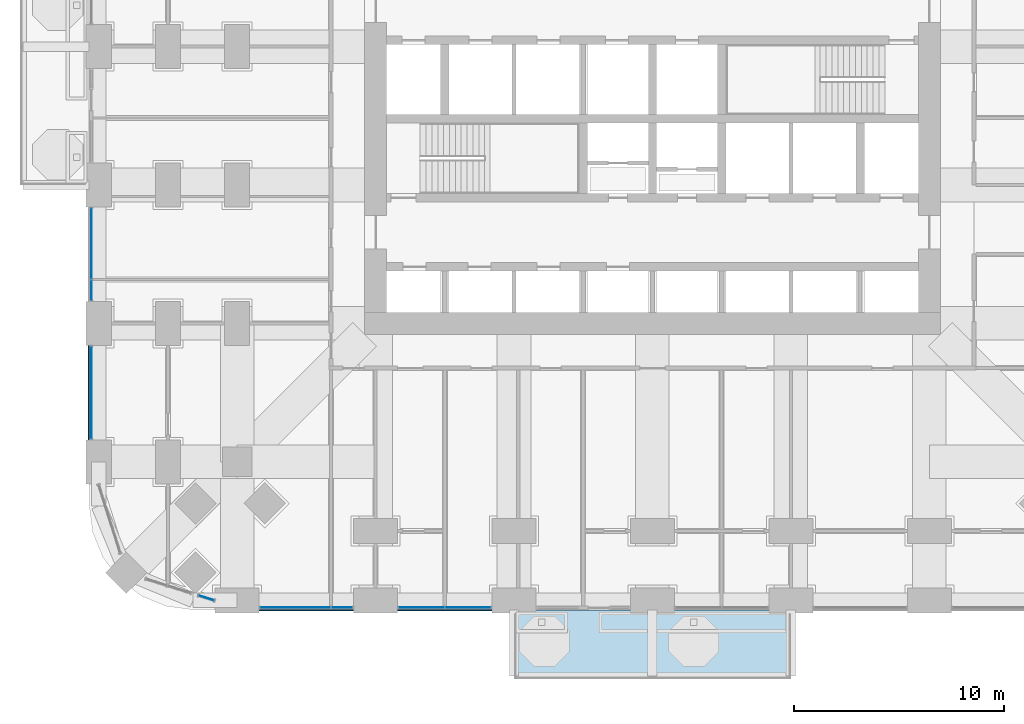
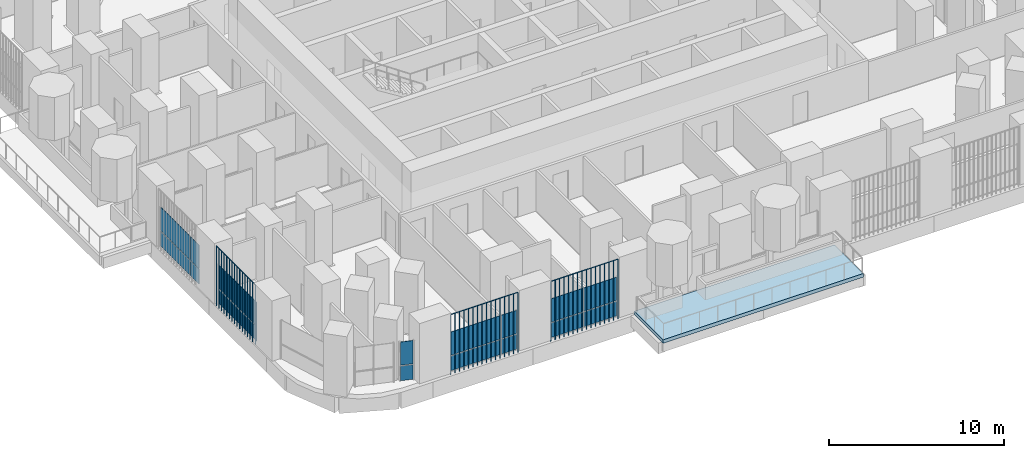
# One storey, part 11 of 26: 19 plates, 1 slab, 5 elements without a shape of their own.
"""IFC4 building model written with IfcOpenShell, lengths in metres."""

from ifc_helpers import new_model, si_unit, direction, frame, origin, origin_2d, place, context, subcontext, project, spatial, polyline, rectangle, outline, extrude, material, layer, layer_set, type_object, element, aggregate, save


model = new_model("IFC4")

# Units and contexts
model_context = context("Model", 3, precision=1e-05, world=origin(), true_north=direction((0.0, 1.0)))
body_context = subcontext(model_context, "Body", "Model", "MODEL_VIEW")
ifc_project = project(units=[si_unit("LENGTHUNIT", "METRE"), si_unit("AREAUNIT", "SQUARE_METRE"), si_unit("VOLUMEUNIT", "CUBIC_METRE"), si_unit("PLANEANGLEUNIT", "RADIAN"), si_unit("MASSUNIT", "GRAM", prefix="KILO")], contexts=[model_context])

# Site, building, storey
site_placement = place(None, origin())
site = spatial("IfcSite", under=ifc_project, at=site_placement, CompositionType="ELEMENT")
building_placement = place(site_placement, origin())
building = spatial("IfcBuilding", under=site, at=building_placement, Name="Cobogo Forest Laboratory Tower", CompositionType="ELEMENT")
storey_placement = place(building_placement, frame((0.0, 0.0, 59.10009765625)))
storey = spatial("IfcBuildingStorey", under=building, at=storey_placement, Name="L13", CompositionType="ELEMENT", Elevation=59.10009765625)

# Slab
ifc_material_1 = material(Name="Concrete HA-40 (C40/50)", Category="concrete")
ifc_layer_1 = layer(ifc_material_1, 0.25)
ifc_layer_set_1 = layer_set([ifc_layer_1], Name="Balcony slab 250")
slab_type = type_object("IfcSlabType", Name="Balcony slab 250", PredefinedType="FLOOR", material=ifc_layer_set_1)
slab_placement = place(storey_placement, frame((0.0, 0.0, -0.25)))
element("IfcSlab", 1, at=slab_placement, inside=storey, type_object=slab_type, Name="Balcony BAL-S1 L13", PredefinedType="FLOOR", context=body_context, shape_type="SweptSolid", body=[
    extrude(outline(polyline([(19.800048828125, -3.75), (33.0, -3.75), (33.0, -0.449951171875), (19.800048828125, -0.449951171875), (19.800048828125, -3.75)])), origin(), (0.0, 0.0, 1.0), 0.25),
])

# Curtain wall, plates
ifc_material_2 = material(Name="Aluminium curtain wall", Category="aluminium")
curtain_wall_type = type_object("IfcCurtainWallType", Name="CW-1 unitised curtain wall, clear glazing, laboratory floors zones A and B", PredefinedType="USERDEFINED", material=ifc_material_2)
curtain_wall_1_placement = place(storey_placement, origin())
curtain_wall_1 = element("IfcCurtainWall", 2, at=curtain_wall_1_placement, inside=storey, type_object=curtain_wall_type, Name="Curtain wall 01 L13", ObjectType="UNITISED CURTAIN WALL", PredefinedType="USERDEFINED")
ifc_material_3 = material(Name="Clear insulated glass", Category="glass")
ifc_layer_2 = layer(ifc_material_3, 0.028076171875)
ifc_layer_set_2 = layer_set([ifc_layer_2], Name="GP-1 clear insulated glass unit 28")
plate_type_1 = type_object("IfcPlateType", Name="GP-1 clear insulated glass unit 28", PredefinedType="CURTAIN_PANEL", material=ifc_layer_set_2)
plate_1_placement = place(storey_placement, frame((9.37744140625, -0.35009765625, 0.0), z_axis=(0.0, 0.0, 1.0), x_axis=(1.0, 0.0, 0.0)))
plate_1 = element("IfcPlate", 3, at=plate_1_placement, type_object=plate_type_1, Name="CW-1 panel 1.1", PredefinedType="CURTAIN_PANEL", context=body_context, shape_type="SweptSolid", body=[
    extrude(rectangle(XDim=3.3349609375, YDim=0.028076171875, at=origin_2d()), origin(), (0.0, 0.0, 1.0), 1.02001953125),
])
plate_2_placement = place(storey_placement, frame((9.37744140625, -0.35009765625, 1.079833984375), z_axis=(0.0, 0.0, 1.0), x_axis=(1.0, 0.0, 0.0)))
plate_2 = element("IfcPlate", 4, at=plate_2_placement, type_object=plate_type_1, Name="CW-1 panel 1.2", PredefinedType="CURTAIN_PANEL", context=body_context, shape_type="SweptSolid", body=[
    extrude(rectangle(XDim=3.3349609375, YDim=0.028076171875, at=origin_2d()), origin(), (0.0, 0.0, 1.0), 1.6201171875),
])
plate_3_placement = place(storey_placement, frame((11.597412109375, -0.35009765625, 0.0), z_axis=(0.0, 0.0, 1.0), x_axis=(1.0, 0.0, 0.0)))
plate_3 = element("IfcPlate", 5, at=plate_3_placement, type_object=plate_type_1, Name="CW-1 panel 2.1", PredefinedType="CURTAIN_PANEL", context=body_context, shape_type="SweptSolid", body=[
    extrude(rectangle(XDim=0.985107421875, YDim=0.028076171875, at=origin_2d()), origin(), (0.0, 0.0, 1.0), 1.02001953125),
])
plate_4_placement = place(storey_placement, frame((11.597412109375, -0.35009765625, 1.079833984375), z_axis=(0.0, 0.0, 1.0), x_axis=(1.0, 0.0, 0.0)))
plate_4 = element("IfcPlate", 6, at=plate_4_placement, type_object=plate_type_1, Name="CW-1 panel 2.2", PredefinedType="CURTAIN_PANEL", context=body_context, shape_type="SweptSolid", body=[
    extrude(rectangle(XDim=0.985107421875, YDim=0.028076171875, at=origin_2d()), origin(), (0.0, 0.0, 1.0), 1.6201171875),
])
aggregate(curtain_wall_1, [plate_1, plate_2, plate_3, plate_4])

curtain_wall_2_placement = place(storey_placement, origin())
curtain_wall_2 = element("IfcCurtainWall", 7, at=curtain_wall_2_placement, inside=storey, type_object=curtain_wall_type, Name="Curtain wall 02 L13", ObjectType="UNITISED CURTAIN WALL", PredefinedType="USERDEFINED")
plate_5_placement = place(storey_placement, frame((15.389892578125, -0.35009765625, 0.0), z_axis=(0.0, 0.0, 1.0), x_axis=(1.0, 0.0, 0.0)))
plate_5 = element("IfcPlate", 8, at=plate_5_placement, type_object=plate_type_1, Name="CW-1 panel 1.1", PredefinedType="CURTAIN_PANEL", context=body_context, shape_type="SweptSolid", body=[
    extrude(rectangle(XDim=2.159912109375, YDim=0.028076171875, at=origin_2d()), origin(), (0.0, 0.0, 1.0), 1.02001953125),
])
plate_6_placement = place(storey_placement, frame((15.389892578125, -0.35009765625, 1.079833984375), z_axis=(0.0, 0.0, 1.0), x_axis=(1.0, 0.0, 0.0)))
plate_6 = element("IfcPlate", 9, at=plate_6_placement, type_object=plate_type_1, Name="CW-1 panel 1.2", PredefinedType="CURTAIN_PANEL", context=body_context, shape_type="SweptSolid", body=[
    extrude(rectangle(XDim=2.159912109375, YDim=0.028076171875, at=origin_2d()), origin(), (0.0, 0.0, 1.0), 1.6201171875),
])
plate_7_placement = place(storey_placement, frame((17.610107421875, -0.35009765625, 0.0), z_axis=(0.0, 0.0, 1.0), x_axis=(1.0, 0.0, 0.0)))
plate_7 = element("IfcPlate", 10, at=plate_7_placement, type_object=plate_type_1, Name="CW-1 panel 2.1", PredefinedType="CURTAIN_PANEL", context=body_context, shape_type="SweptSolid", body=[
    extrude(rectangle(XDim=2.159912109375, YDim=0.028076171875, at=origin_2d()), origin(), (0.0, 0.0, 1.0), 1.02001953125),
])
plate_8_placement = place(storey_placement, frame((17.610107421875, -0.35009765625, 1.079833984375), z_axis=(0.0, 0.0, 1.0), x_axis=(1.0, 0.0, 0.0)))
plate_8 = element("IfcPlate", 11, at=plate_8_placement, type_object=plate_type_1, Name="CW-1 panel 2.2", PredefinedType="CURTAIN_PANEL", context=body_context, shape_type="SweptSolid", body=[
    extrude(rectangle(XDim=2.159912109375, YDim=0.028076171875, at=origin_2d()), origin(), (0.0, 0.0, 1.0), 1.6201171875),
])
aggregate(curtain_wall_2, [plate_5, plate_6, plate_7, plate_8])

curtain_wall_3_placement = place(storey_placement, origin())
curtain_wall_3 = element("IfcCurtainWall", 12, at=curtain_wall_3_placement, inside=storey, type_object=curtain_wall_type, Name="Curtain wall 30 L13", ObjectType="UNITISED CURTAIN WALL", PredefinedType="USERDEFINED")
plate_9_placement = place(storey_placement, frame((-0.35009765625, 17.010009765625, 0.0), z_axis=(0.0, 0.0, 1.0), x_axis=(0.0, -1.0, 0.0)))
plate_9 = element("IfcPlate", 13, at=plate_9_placement, type_object=plate_type_1, Name="CW-1 panel 1.1", PredefinedType="CURTAIN_PANEL", context=body_context, shape_type="SweptSolid", body=[
    extrude(rectangle(XDim=3.360107421875, YDim=0.028076171875, at=origin_2d()), origin(), (0.0, 0.0, 1.0), 1.02001953125),
])
plate_10_placement = place(storey_placement, frame((-0.35009765625, 17.010009765625, 1.079833984375), z_axis=(0.0, 0.0, 1.0), x_axis=(0.0, -1.0, 0.0)))
plate_10 = element("IfcPlate", 14, at=plate_10_placement, type_object=plate_type_1, Name="CW-1 panel 1.2", PredefinedType="CURTAIN_PANEL", context=body_context, shape_type="SweptSolid", body=[
    extrude(rectangle(XDim=3.360107421875, YDim=0.028076171875, at=origin_2d()), origin(), (0.0, 0.0, 1.0), 1.6201171875),
])
plate_11_placement = place(storey_placement, frame((-0.35009765625, 14.7900390625, 0.0), z_axis=(0.0, 0.0, 1.0), x_axis=(0.0, -1.0, 0.0)))
plate_11 = element("IfcPlate", 15, at=plate_11_placement, type_object=plate_type_1, Name="CW-1 panel 2.1", PredefinedType="CURTAIN_PANEL", context=body_context, shape_type="SweptSolid", body=[
    extrude(rectangle(XDim=0.9599609375, YDim=0.028076171875, at=origin_2d()), origin(), (0.0, 0.0, 1.0), 1.02001953125),
])
plate_12_placement = place(storey_placement, frame((-0.35009765625, 14.7900390625, 1.079833984375), z_axis=(0.0, 0.0, 1.0), x_axis=(0.0, -1.0, 0.0)))
plate_12 = element("IfcPlate", 16, at=plate_12_placement, type_object=plate_type_1, Name="CW-1 panel 2.2", PredefinedType="CURTAIN_PANEL", context=body_context, shape_type="SweptSolid", body=[
    extrude(rectangle(XDim=0.9599609375, YDim=0.028076171875, at=origin_2d()), origin(), (0.0, 0.0, 1.0), 1.6201171875),
])
aggregate(curtain_wall_3, [plate_9, plate_10, plate_11, plate_12])

curtain_wall_4_placement = place(storey_placement, origin())
curtain_wall_4 = element("IfcCurtainWall", 17, at=curtain_wall_4_placement, inside=storey, type_object=curtain_wall_type, Name="Curtain wall 31 L13", ObjectType="UNITISED CURTAIN WALL", PredefinedType="USERDEFINED")
plate_13_placement = place(storey_placement, frame((-0.35009765625, 9.89990234375, 0.0), z_axis=(0.0, 0.0, 1.0), x_axis=(0.0, -1.0, 0.0)))
plate_13 = element("IfcPlate", 18, at=plate_13_placement, type_object=plate_type_1, Name="CW-1 panel 1.1", PredefinedType="CURTAIN_PANEL", context=body_context, shape_type="SweptSolid", body=[
    extrude(rectangle(XDim=4.3798828125, YDim=0.028076171875, at=origin_2d()), origin(), (0.0, 0.0, 1.0), 1.02001953125),
])
plate_14_placement = place(storey_placement, frame((-0.35009765625, 9.89990234375, 1.079833984375), z_axis=(0.0, 0.0, 1.0), x_axis=(0.0, -1.0, 0.0)))
plate_14 = element("IfcPlate", 19, at=plate_14_placement, type_object=plate_type_1, Name="CW-1 panel 1.2", PredefinedType="CURTAIN_PANEL", context=body_context, shape_type="SweptSolid", body=[
    extrude(rectangle(XDim=4.3798828125, YDim=0.028076171875, at=origin_2d()), origin(), (0.0, 0.0, 1.0), 1.6201171875),
])
aggregate(curtain_wall_4, [plate_13, plate_14])

curtain_wall_5_placement = place(storey_placement, origin())
curtain_wall_5 = element("IfcCurtainWall", 20, at=curtain_wall_5_placement, inside=storey, type_object=curtain_wall_type, Name="Curtain wall 34 L13", ObjectType="UNITISED CURTAIN WALL", PredefinedType="USERDEFINED")
plate_15_placement = place(storey_placement, frame((5.134033203125, 0.113037109375, 0.0), z_axis=(0.0, 0.0, 1.0), x_axis=(0.953581504428, -0.301135043481, 0.0)))
plate_15 = element("IfcPlate", 21, at=plate_15_placement, type_object=plate_type_1, Name="CW-1 panel 1.1", PredefinedType="CURTAIN_PANEL", context=body_context, shape_type="SweptSolid", body=[
    extrude(rectangle(XDim=0.75244140625, YDim=0.028076171875, at=origin_2d()), origin(), (0.0, 0.0, 1.0), 1.02001953125),
])
plate_16_placement = place(storey_placement, frame((5.134033203125, 0.113037109375, 1.079833984375), z_axis=(0.0, 0.0, 1.0), x_axis=(0.953581504428, -0.301135043481, 0.0)))
plate_16 = element("IfcPlate", 22, at=plate_16_placement, type_object=plate_type_1, Name="CW-1 panel 1.2", PredefinedType="CURTAIN_PANEL", context=body_context, shape_type="SweptSolid", body=[
    extrude(rectangle(XDim=0.75244140625, YDim=0.028076171875, at=origin_2d()), origin(), (0.0, 0.0, 1.0), 1.6201171875),
])
aggregate(curtain_wall_5, [plate_15, plate_16])

# Plates
ifc_material_4 = material(Name="Terracotta", Category="masonry")
plate_type_2 = type_object("IfcPlateType", Name="TB1 terracotta baguette screen", PredefinedType="USERDEFINED", material=ifc_material_4)
plate_17_placement = place(storey_placement, frame((7.68115234375, -0.477783203125, -0.150146484375)))
element("IfcPlate", 23, at=plate_17_placement, inside=storey, type_object=plate_type_2, Name="Baguette screen S1 L13", ObjectType="BAGUETTE SCREEN", PredefinedType="USERDEFINED", context=body_context, shape_type="SweptSolid", body=[
    extrude(outline(polyline([(0.02880859375, 0.011962890625), (0.011962890625, 0.02880859375), (-0.011962890625, 0.02880859375), (-0.02880859375, 0.011962890625), (-0.02880859375, -0.011962890625), (-0.011962890625, -0.02880859375), (0.011962890625, -0.02880859375), (0.02880859375, -0.011962890625), (0.02880859375, 0.011962890625)])), frame((0.0, 0.0, 4.168701171875), z_axis=(1.0, 0.0, 0.0), x_axis=(0.0, 1.0, 0.0)), (0.0, 0.0, 1.0), 4.4375),
    extrude(outline(polyline([(0.02880859375, 0.011962890625), (0.011962890625, 0.02880859375), (-0.011962890625, 0.02880859375), (-0.02880859375, 0.011962890625), (-0.02880859375, -0.011962890625), (-0.011962890625, -0.02880859375), (0.011962890625, -0.02880859375), (0.02880859375, -0.011962890625), (0.02880859375, 0.011962890625)])), origin(), (0.0, 0.0, 1.0), 4.137451171875),
    extrude(outline(polyline([(0.02880859375, 0.011962890625), (0.011962890625, 0.02880859375), (-0.011962890625, 0.02880859375), (-0.02880859375, 0.011962890625), (-0.02880859375, -0.011962890625), (-0.011962890625, -0.02880859375), (0.011962890625, -0.02880859375), (0.02880859375, -0.011962890625), (0.02880859375, 0.011962890625)])), frame((0.2958984375, 0.0, 0.0)), (0.0, 0.0, 1.0), 4.137451171875),
    extrude(outline(polyline([(0.02880859375, 0.011962890625), (0.011962890625, 0.02880859375), (-0.011962890625, 0.02880859375), (-0.02880859375, 0.011962890625), (-0.02880859375, -0.011962890625), (-0.011962890625, -0.02880859375), (0.011962890625, -0.02880859375), (0.02880859375, -0.011962890625), (0.02880859375, 0.011962890625)])), frame((0.591552734375, 0.0, 0.0)), (0.0, 0.0, 1.0), 4.137451171875),
    extrude(outline(polyline([(0.02880859375, 0.011962890625), (0.011962890625, 0.02880859375), (-0.011962890625, 0.02880859375), (-0.02880859375, 0.011962890625), (-0.02880859375, -0.011962890625), (-0.011962890625, -0.02880859375), (0.011962890625, -0.02880859375), (0.02880859375, -0.011962890625), (0.02880859375, 0.011962890625)])), frame((0.887451171875, 0.0, 0.0)), (0.0, 0.0, 1.0), 4.137451171875),
    extrude(outline(polyline([(0.02880859375, 0.011962890625), (0.011962890625, 0.02880859375), (-0.011962890625, 0.02880859375), (-0.02880859375, 0.011962890625), (-0.02880859375, -0.011962890625), (-0.011962890625, -0.02880859375), (0.011962890625, -0.02880859375), (0.02880859375, -0.011962890625), (0.02880859375, 0.011962890625)])), frame((1.183349609375, 0.0, 0.0)), (0.0, 0.0, 1.0), 4.137451171875),
    extrude(outline(polyline([(0.02880859375, 0.011962890625), (0.011962890625, 0.02880859375), (-0.011962890625, 0.02880859375), (-0.02880859375, 0.011962890625), (-0.02880859375, -0.011962890625), (-0.011962890625, -0.02880859375), (0.011962890625, -0.02880859375), (0.02880859375, -0.011962890625), (0.02880859375, 0.011962890625)])), frame((1.479248046875, 0.0, 0.0)), (0.0, 0.0, 1.0), 4.137451171875),
    extrude(outline(polyline([(0.02880859375, 0.011962890625), (0.011962890625, 0.02880859375), (-0.011962890625, 0.02880859375), (-0.02880859375, 0.011962890625), (-0.02880859375, -0.011962890625), (-0.011962890625, -0.02880859375), (0.011962890625, -0.02880859375), (0.02880859375, -0.011962890625), (0.02880859375, 0.011962890625)])), frame((1.77490234375, 0.0, 0.0)), (0.0, 0.0, 1.0), 4.137451171875),
    extrude(outline(polyline([(0.02880859375, 0.011962890625), (0.011962890625, 0.02880859375), (-0.011962890625, 0.02880859375), (-0.02880859375, 0.011962890625), (-0.02880859375, -0.011962890625), (-0.011962890625, -0.02880859375), (0.011962890625, -0.02880859375), (0.02880859375, -0.011962890625), (0.02880859375, 0.011962890625)])), frame((2.07080078125, 0.0, 0.0)), (0.0, 0.0, 1.0), 4.137451171875),
    extrude(outline(polyline([(0.02880859375, 0.011962890625), (0.011962890625, 0.02880859375), (-0.011962890625, 0.02880859375), (-0.02880859375, 0.011962890625), (-0.02880859375, -0.011962890625), (-0.011962890625, -0.02880859375), (0.011962890625, -0.02880859375), (0.02880859375, -0.011962890625), (0.02880859375, 0.011962890625)])), frame((2.36669921875, 0.0, 0.0)), (0.0, 0.0, 1.0), 4.137451171875),
    extrude(outline(polyline([(0.02880859375, 0.011962890625), (0.011962890625, 0.02880859375), (-0.011962890625, 0.02880859375), (-0.02880859375, 0.011962890625), (-0.02880859375, -0.011962890625), (-0.011962890625, -0.02880859375), (0.011962890625, -0.02880859375), (0.02880859375, -0.011962890625), (0.02880859375, 0.011962890625)])), frame((2.66259765625, 0.0, 0.0)), (0.0, 0.0, 1.0), 4.137451171875),
    extrude(outline(polyline([(0.02880859375, 0.011962890625), (0.011962890625, 0.02880859375), (-0.011962890625, 0.02880859375), (-0.02880859375, 0.011962890625), (-0.02880859375, -0.011962890625), (-0.011962890625, -0.02880859375), (0.011962890625, -0.02880859375), (0.02880859375, -0.011962890625), (0.02880859375, 0.011962890625)])), frame((2.958251953125, 0.0, 0.0)), (0.0, 0.0, 1.0), 4.137451171875),
    extrude(outline(polyline([(0.02880859375, 0.011962890625), (0.011962890625, 0.02880859375), (-0.011962890625, 0.02880859375), (-0.02880859375, 0.011962890625), (-0.02880859375, -0.011962890625), (-0.011962890625, -0.02880859375), (0.011962890625, -0.02880859375), (0.02880859375, -0.011962890625), (0.02880859375, 0.011962890625)])), frame((3.254150390625, 0.0, 0.0)), (0.0, 0.0, 1.0), 4.137451171875),
    extrude(outline(polyline([(0.02880859375, 0.011962890625), (0.011962890625, 0.02880859375), (-0.011962890625, 0.02880859375), (-0.02880859375, 0.011962890625), (-0.02880859375, -0.011962890625), (-0.011962890625, -0.02880859375), (0.011962890625, -0.02880859375), (0.02880859375, -0.011962890625), (0.02880859375, 0.011962890625)])), frame((3.550048828125, 0.0, 0.0)), (0.0, 0.0, 1.0), 4.137451171875),
    extrude(outline(polyline([(0.02880859375, 0.011962890625), (0.011962890625, 0.02880859375), (-0.011962890625, 0.02880859375), (-0.02880859375, 0.011962890625), (-0.02880859375, -0.011962890625), (-0.011962890625, -0.02880859375), (0.011962890625, -0.02880859375), (0.02880859375, -0.011962890625), (0.02880859375, 0.011962890625)])), frame((3.845947265625, 0.0, 0.0)), (0.0, 0.0, 1.0), 4.137451171875),
    extrude(outline(polyline([(0.02880859375, 0.011962890625), (0.011962890625, 0.02880859375), (-0.011962890625, 0.02880859375), (-0.02880859375, 0.011962890625), (-0.02880859375, -0.011962890625), (-0.011962890625, -0.02880859375), (0.011962890625, -0.02880859375), (0.02880859375, -0.011962890625), (0.02880859375, 0.011962890625)])), frame((4.1416015625, 0.0, 0.0)), (0.0, 0.0, 1.0), 4.137451171875),
    extrude(outline(polyline([(0.02880859375, 0.011962890625), (0.011962890625, 0.02880859375), (-0.011962890625, 0.02880859375), (-0.02880859375, 0.011962890625), (-0.02880859375, -0.011962890625), (-0.011962890625, -0.02880859375), (0.011962890625, -0.02880859375), (0.02880859375, -0.011962890625), (0.02880859375, 0.011962890625)])), frame((4.4375, 0.0, 0.0)), (0.0, 0.0, 1.0), 4.137451171875),
])
plate_18_placement = place(storey_placement, frame((14.28125, -0.477783203125, -0.150146484375)))
element("IfcPlate", 24, at=plate_18_placement, inside=storey, type_object=plate_type_2, Name="Baguette screen S2 L13", ObjectType="BAGUETTE SCREEN", PredefinedType="USERDEFINED", context=body_context, shape_type="SweptSolid", body=[
    extrude(outline(polyline([(0.02880859375, 0.011962890625), (0.011962890625, 0.02880859375), (-0.011962890625, 0.02880859375), (-0.02880859375, 0.011962890625), (-0.02880859375, -0.011962890625), (-0.011962890625, -0.02880859375), (0.011962890625, -0.02880859375), (0.02880859375, -0.011962890625), (0.02880859375, 0.011962890625)])), frame((0.0, 0.0, 4.168701171875), z_axis=(1.0, 0.0, 0.0), x_axis=(0.0, 1.0, 0.0)), (0.0, 0.0, 1.0), 4.4375),
    extrude(outline(polyline([(0.02880859375, 0.011962890625), (0.011962890625, 0.02880859375), (-0.011962890625, 0.02880859375), (-0.02880859375, 0.011962890625), (-0.02880859375, -0.011962890625), (-0.011962890625, -0.02880859375), (0.011962890625, -0.02880859375), (0.02880859375, -0.011962890625), (0.02880859375, 0.011962890625)])), origin(), (0.0, 0.0, 1.0), 4.137451171875),
    extrude(outline(polyline([(0.02880859375, 0.011962890625), (0.011962890625, 0.02880859375), (-0.011962890625, 0.02880859375), (-0.02880859375, 0.011962890625), (-0.02880859375, -0.011962890625), (-0.011962890625, -0.02880859375), (0.011962890625, -0.02880859375), (0.02880859375, -0.011962890625), (0.02880859375, 0.011962890625)])), frame((0.2958984375, 0.0, 0.0)), (0.0, 0.0, 1.0), 4.137451171875),
    extrude(outline(polyline([(0.02880859375, 0.011962890625), (0.011962890625, 0.02880859375), (-0.011962890625, 0.02880859375), (-0.02880859375, 0.011962890625), (-0.02880859375, -0.011962890625), (-0.011962890625, -0.02880859375), (0.011962890625, -0.02880859375), (0.02880859375, -0.011962890625), (0.02880859375, 0.011962890625)])), frame((0.591552734375, 0.0, 0.0)), (0.0, 0.0, 1.0), 4.137451171875),
    extrude(outline(polyline([(0.02880859375, 0.011962890625), (0.011962890625, 0.02880859375), (-0.011962890625, 0.02880859375), (-0.02880859375, 0.011962890625), (-0.02880859375, -0.011962890625), (-0.011962890625, -0.02880859375), (0.011962890625, -0.02880859375), (0.02880859375, -0.011962890625), (0.02880859375, 0.011962890625)])), frame((0.887451171875, 0.0, 0.0)), (0.0, 0.0, 1.0), 4.137451171875),
    extrude(outline(polyline([(0.02880859375, 0.011962890625), (0.011962890625, 0.02880859375), (-0.011962890625, 0.02880859375), (-0.02880859375, 0.011962890625), (-0.02880859375, -0.011962890625), (-0.011962890625, -0.02880859375), (0.011962890625, -0.02880859375), (0.02880859375, -0.011962890625), (0.02880859375, 0.011962890625)])), frame((1.183349609375, 0.0, 0.0)), (0.0, 0.0, 1.0), 4.137451171875),
    extrude(outline(polyline([(0.02880859375, 0.011962890625), (0.011962890625, 0.02880859375), (-0.011962890625, 0.02880859375), (-0.02880859375, 0.011962890625), (-0.02880859375, -0.011962890625), (-0.011962890625, -0.02880859375), (0.011962890625, -0.02880859375), (0.02880859375, -0.011962890625), (0.02880859375, 0.011962890625)])), frame((1.479248046875, 0.0, 0.0)), (0.0, 0.0, 1.0), 4.137451171875),
    extrude(outline(polyline([(0.02880859375, 0.011962890625), (0.011962890625, 0.02880859375), (-0.011962890625, 0.02880859375), (-0.02880859375, 0.011962890625), (-0.02880859375, -0.011962890625), (-0.011962890625, -0.02880859375), (0.011962890625, -0.02880859375), (0.02880859375, -0.011962890625), (0.02880859375, 0.011962890625)])), frame((1.77490234375, 0.0, 0.0)), (0.0, 0.0, 1.0), 4.137451171875),
    extrude(outline(polyline([(0.02880859375, 0.011962890625), (0.011962890625, 0.02880859375), (-0.011962890625, 0.02880859375), (-0.02880859375, 0.011962890625), (-0.02880859375, -0.011962890625), (-0.011962890625, -0.02880859375), (0.011962890625, -0.02880859375), (0.02880859375, -0.011962890625), (0.02880859375, 0.011962890625)])), frame((2.07080078125, 0.0, 0.0)), (0.0, 0.0, 1.0), 4.137451171875),
    extrude(outline(polyline([(0.02880859375, 0.011962890625), (0.011962890625, 0.02880859375), (-0.011962890625, 0.02880859375), (-0.02880859375, 0.011962890625), (-0.02880859375, -0.011962890625), (-0.011962890625, -0.02880859375), (0.011962890625, -0.02880859375), (0.02880859375, -0.011962890625), (0.02880859375, 0.011962890625)])), frame((2.36669921875, 0.0, 0.0)), (0.0, 0.0, 1.0), 4.137451171875),
    extrude(outline(polyline([(0.02880859375, 0.011962890625), (0.011962890625, 0.02880859375), (-0.011962890625, 0.02880859375), (-0.02880859375, 0.011962890625), (-0.02880859375, -0.011962890625), (-0.011962890625, -0.02880859375), (0.011962890625, -0.02880859375), (0.02880859375, -0.011962890625), (0.02880859375, 0.011962890625)])), frame((2.66259765625, 0.0, 0.0)), (0.0, 0.0, 1.0), 4.137451171875),
    extrude(outline(polyline([(0.02880859375, 0.011962890625), (0.011962890625, 0.02880859375), (-0.011962890625, 0.02880859375), (-0.02880859375, 0.011962890625), (-0.02880859375, -0.011962890625), (-0.011962890625, -0.02880859375), (0.011962890625, -0.02880859375), (0.02880859375, -0.011962890625), (0.02880859375, 0.011962890625)])), frame((2.958251953125, 0.0, 0.0)), (0.0, 0.0, 1.0), 4.137451171875),
    extrude(outline(polyline([(0.02880859375, 0.011962890625), (0.011962890625, 0.02880859375), (-0.011962890625, 0.02880859375), (-0.02880859375, 0.011962890625), (-0.02880859375, -0.011962890625), (-0.011962890625, -0.02880859375), (0.011962890625, -0.02880859375), (0.02880859375, -0.011962890625), (0.02880859375, 0.011962890625)])), frame((3.254150390625, 0.0, 0.0)), (0.0, 0.0, 1.0), 4.137451171875),
    extrude(outline(polyline([(0.02880859375, 0.011962890625), (0.011962890625, 0.02880859375), (-0.011962890625, 0.02880859375), (-0.02880859375, 0.011962890625), (-0.02880859375, -0.011962890625), (-0.011962890625, -0.02880859375), (0.011962890625, -0.02880859375), (0.02880859375, -0.011962890625), (0.02880859375, 0.011962890625)])), frame((3.550048828125, 0.0, 0.0)), (0.0, 0.0, 1.0), 4.137451171875),
    extrude(outline(polyline([(0.02880859375, 0.011962890625), (0.011962890625, 0.02880859375), (-0.011962890625, 0.02880859375), (-0.02880859375, 0.011962890625), (-0.02880859375, -0.011962890625), (-0.011962890625, -0.02880859375), (0.011962890625, -0.02880859375), (0.02880859375, -0.011962890625), (0.02880859375, 0.011962890625)])), frame((3.845947265625, 0.0, 0.0)), (0.0, 0.0, 1.0), 4.137451171875),
    extrude(outline(polyline([(0.02880859375, 0.011962890625), (0.011962890625, 0.02880859375), (-0.011962890625, 0.02880859375), (-0.02880859375, 0.011962890625), (-0.02880859375, -0.011962890625), (-0.011962890625, -0.02880859375), (0.011962890625, -0.02880859375), (0.02880859375, -0.011962890625), (0.02880859375, 0.011962890625)])), frame((4.1416015625, 0.0, 0.0)), (0.0, 0.0, 1.0), 4.137451171875),
    extrude(outline(polyline([(0.02880859375, 0.011962890625), (0.011962890625, 0.02880859375), (-0.011962890625, 0.02880859375), (-0.02880859375, 0.011962890625), (-0.02880859375, -0.011962890625), (-0.011962890625, -0.02880859375), (0.011962890625, -0.02880859375), (0.02880859375, -0.011962890625), (0.02880859375, 0.011962890625)])), frame((4.4375, 0.0, 0.0)), (0.0, 0.0, 1.0), 4.137451171875),
])
plate_19_placement = place(storey_placement, frame((-0.477783203125, 7.68115234375, -0.150146484375)))
element("IfcPlate", 25, at=plate_19_placement, inside=storey, type_object=plate_type_2, Name="Baguette screen W1 L13", ObjectType="BAGUETTE SCREEN", PredefinedType="USERDEFINED", context=body_context, shape_type="SweptSolid", body=[
    extrude(outline(polyline([(0.02880859375, 0.011962890625), (0.011962890625, 0.02880859375), (-0.011962890625, 0.02880859375), (-0.02880859375, 0.011962890625), (-0.02880859375, -0.011962890625), (-0.011962890625, -0.02880859375), (0.011962890625, -0.02880859375), (0.02880859375, -0.011962890625), (0.02880859375, 0.011962890625)])), frame((0.0, 0.0, 4.168701171875), z_axis=(0.0, 1.0, 0.0), x_axis=(-1.0, 0.0, 0.0)), (0.0, 0.0, 1.0), 4.4375),
    extrude(outline(polyline([(0.02880859375, 0.011962890625), (0.011962890625, 0.02880859375), (-0.011962890625, 0.02880859375), (-0.02880859375, 0.011962890625), (-0.02880859375, -0.011962890625), (-0.011962890625, -0.02880859375), (0.011962890625, -0.02880859375), (0.02880859375, -0.011962890625), (0.02880859375, 0.011962890625)])), origin(), (0.0, 0.0, 1.0), 4.137451171875),
    extrude(outline(polyline([(0.02880859375, 0.011962890625), (0.011962890625, 0.02880859375), (-0.011962890625, 0.02880859375), (-0.02880859375, 0.011962890625), (-0.02880859375, -0.011962890625), (-0.011962890625, -0.02880859375), (0.011962890625, -0.02880859375), (0.02880859375, -0.011962890625), (0.02880859375, 0.011962890625)])), frame((0.0, 0.2958984375, 0.0)), (0.0, 0.0, 1.0), 4.137451171875),
    extrude(outline(polyline([(0.02880859375, 0.011962890625), (0.011962890625, 0.02880859375), (-0.011962890625, 0.02880859375), (-0.02880859375, 0.011962890625), (-0.02880859375, -0.011962890625), (-0.011962890625, -0.02880859375), (0.011962890625, -0.02880859375), (0.02880859375, -0.011962890625), (0.02880859375, 0.011962890625)])), frame((0.0, 0.591552734375, 0.0)), (0.0, 0.0, 1.0), 4.137451171875),
    extrude(outline(polyline([(0.02880859375, 0.011962890625), (0.011962890625, 0.02880859375), (-0.011962890625, 0.02880859375), (-0.02880859375, 0.011962890625), (-0.02880859375, -0.011962890625), (-0.011962890625, -0.02880859375), (0.011962890625, -0.02880859375), (0.02880859375, -0.011962890625), (0.02880859375, 0.011962890625)])), frame((0.0, 0.887451171875, 0.0)), (0.0, 0.0, 1.0), 4.137451171875),
    extrude(outline(polyline([(0.02880859375, 0.011962890625), (0.011962890625, 0.02880859375), (-0.011962890625, 0.02880859375), (-0.02880859375, 0.011962890625), (-0.02880859375, -0.011962890625), (-0.011962890625, -0.02880859375), (0.011962890625, -0.02880859375), (0.02880859375, -0.011962890625), (0.02880859375, 0.011962890625)])), frame((0.0, 1.183349609375, 0.0)), (0.0, 0.0, 1.0), 4.137451171875),
    extrude(outline(polyline([(0.02880859375, 0.011962890625), (0.011962890625, 0.02880859375), (-0.011962890625, 0.02880859375), (-0.02880859375, 0.011962890625), (-0.02880859375, -0.011962890625), (-0.011962890625, -0.02880859375), (0.011962890625, -0.02880859375), (0.02880859375, -0.011962890625), (0.02880859375, 0.011962890625)])), frame((0.0, 1.479248046875, 0.0)), (0.0, 0.0, 1.0), 4.137451171875),
    extrude(outline(polyline([(0.02880859375, 0.011962890625), (0.011962890625, 0.02880859375), (-0.011962890625, 0.02880859375), (-0.02880859375, 0.011962890625), (-0.02880859375, -0.011962890625), (-0.011962890625, -0.02880859375), (0.011962890625, -0.02880859375), (0.02880859375, -0.011962890625), (0.02880859375, 0.011962890625)])), frame((0.0, 1.77490234375, 0.0)), (0.0, 0.0, 1.0), 4.137451171875),
    extrude(outline(polyline([(0.02880859375, 0.011962890625), (0.011962890625, 0.02880859375), (-0.011962890625, 0.02880859375), (-0.02880859375, 0.011962890625), (-0.02880859375, -0.011962890625), (-0.011962890625, -0.02880859375), (0.011962890625, -0.02880859375), (0.02880859375, -0.011962890625), (0.02880859375, 0.011962890625)])), frame((0.0, 2.07080078125, 0.0)), (0.0, 0.0, 1.0), 4.137451171875),
    extrude(outline(polyline([(0.02880859375, 0.011962890625), (0.011962890625, 0.02880859375), (-0.011962890625, 0.02880859375), (-0.02880859375, 0.011962890625), (-0.02880859375, -0.011962890625), (-0.011962890625, -0.02880859375), (0.011962890625, -0.02880859375), (0.02880859375, -0.011962890625), (0.02880859375, 0.011962890625)])), frame((0.0, 2.36669921875, 0.0)), (0.0, 0.0, 1.0), 4.137451171875),
    extrude(outline(polyline([(0.02880859375, 0.011962890625), (0.011962890625, 0.02880859375), (-0.011962890625, 0.02880859375), (-0.02880859375, 0.011962890625), (-0.02880859375, -0.011962890625), (-0.011962890625, -0.02880859375), (0.011962890625, -0.02880859375), (0.02880859375, -0.011962890625), (0.02880859375, 0.011962890625)])), frame((0.0, 2.66259765625, 0.0)), (0.0, 0.0, 1.0), 4.137451171875),
    extrude(outline(polyline([(0.02880859375, 0.011962890625), (0.011962890625, 0.02880859375), (-0.011962890625, 0.02880859375), (-0.02880859375, 0.011962890625), (-0.02880859375, -0.011962890625), (-0.011962890625, -0.02880859375), (0.011962890625, -0.02880859375), (0.02880859375, -0.011962890625), (0.02880859375, 0.011962890625)])), frame((0.0, 2.958251953125, 0.0)), (0.0, 0.0, 1.0), 4.137451171875),
    extrude(outline(polyline([(0.02880859375, 0.011962890625), (0.011962890625, 0.02880859375), (-0.011962890625, 0.02880859375), (-0.02880859375, 0.011962890625), (-0.02880859375, -0.011962890625), (-0.011962890625, -0.02880859375), (0.011962890625, -0.02880859375), (0.02880859375, -0.011962890625), (0.02880859375, 0.011962890625)])), frame((0.0, 3.254150390625, 0.0)), (0.0, 0.0, 1.0), 4.137451171875),
    extrude(outline(polyline([(0.02880859375, 0.011962890625), (0.011962890625, 0.02880859375), (-0.011962890625, 0.02880859375), (-0.02880859375, 0.011962890625), (-0.02880859375, -0.011962890625), (-0.011962890625, -0.02880859375), (0.011962890625, -0.02880859375), (0.02880859375, -0.011962890625), (0.02880859375, 0.011962890625)])), frame((0.0, 3.550048828125, 0.0)), (0.0, 0.0, 1.0), 4.137451171875),
    extrude(outline(polyline([(0.02880859375, 0.011962890625), (0.011962890625, 0.02880859375), (-0.011962890625, 0.02880859375), (-0.02880859375, 0.011962890625), (-0.02880859375, -0.011962890625), (-0.011962890625, -0.02880859375), (0.011962890625, -0.02880859375), (0.02880859375, -0.011962890625), (0.02880859375, 0.011962890625)])), frame((0.0, 3.845947265625, 0.0)), (0.0, 0.0, 1.0), 4.137451171875),
    extrude(outline(polyline([(0.02880859375, 0.011962890625), (0.011962890625, 0.02880859375), (-0.011962890625, 0.02880859375), (-0.02880859375, 0.011962890625), (-0.02880859375, -0.011962890625), (-0.011962890625, -0.02880859375), (0.011962890625, -0.02880859375), (0.02880859375, -0.011962890625), (0.02880859375, 0.011962890625)])), frame((0.0, 4.1416015625, 0.0)), (0.0, 0.0, 1.0), 4.137451171875),
    extrude(outline(polyline([(0.02880859375, 0.011962890625), (0.011962890625, 0.02880859375), (-0.011962890625, 0.02880859375), (-0.02880859375, 0.011962890625), (-0.02880859375, -0.011962890625), (-0.011962890625, -0.02880859375), (0.011962890625, -0.02880859375), (0.02880859375, -0.011962890625), (0.02880859375, 0.011962890625)])), frame((0.0, 4.4375, 0.0)), (0.0, 0.0, 1.0), 4.137451171875),
])

save(model, "model.ifc")
